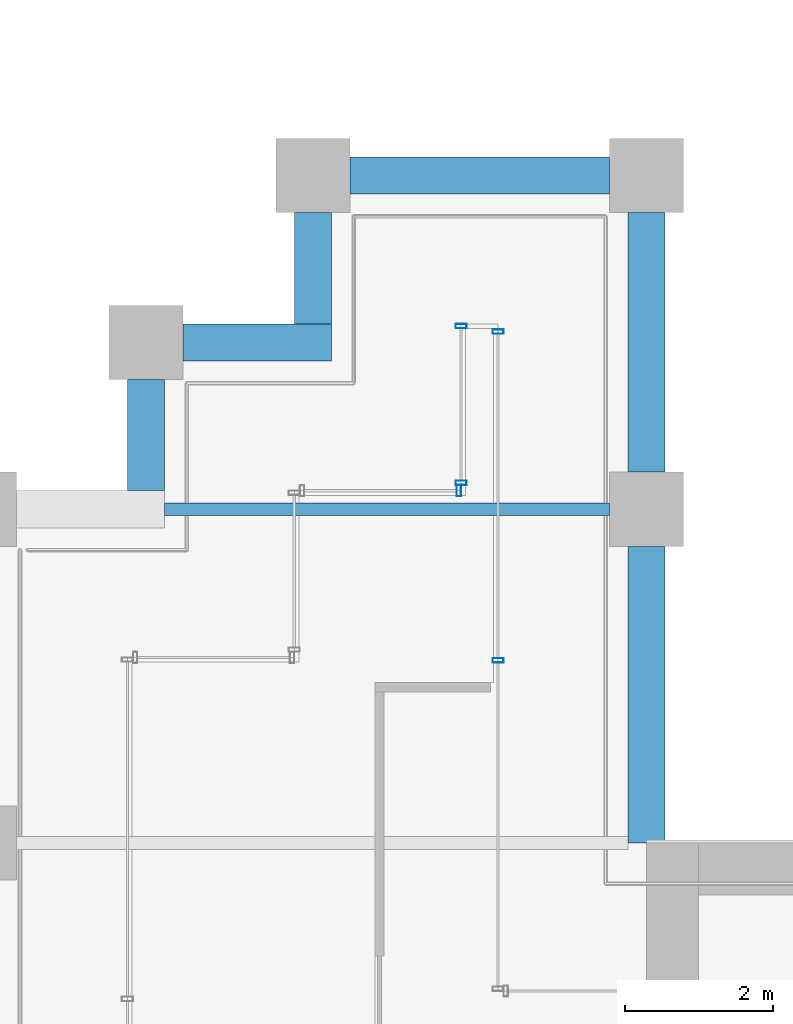
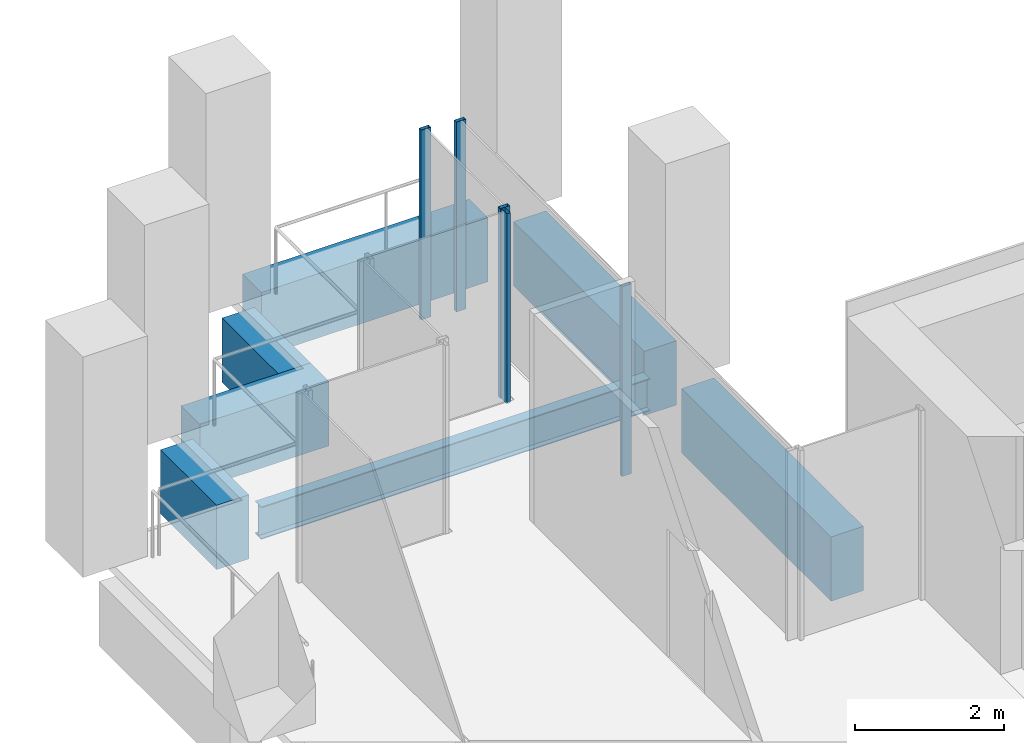
# One storey, part 35 of 46: 7 beams, 5 members, 3 elements without a shape of their own.
"""IFC4 building model written with IfcOpenShell, lengths in metres."""

from ifc_helpers import new_model, si_unit, direction, frame, origin, origin_2d, place, context, subcontext, project, spatial, rectangle, hollow_rectangle, i_section, extrude, material, material_profile, profile_set, type_object, element, aggregate, save


model = new_model("IFC4")

# Units and contexts
model_context = context("Model", 3, precision=1e-05, world=origin(), true_north=direction((0.0, 1.0)))
body_context = subcontext(model_context, "Body", "Model", "MODEL_VIEW")
ifc_project = project(units=[si_unit("LENGTHUNIT", "METRE"), si_unit("AREAUNIT", "SQUARE_METRE"), si_unit("VOLUMEUNIT", "CUBIC_METRE"), si_unit("PLANEANGLEUNIT", "RADIAN"), si_unit("MASSUNIT", "GRAM", prefix="KILO")], contexts=[model_context])

# Site, building, storey
site_placement = place(None, origin())
site = spatial("IfcSite", under=ifc_project, at=site_placement, CompositionType="ELEMENT")
building_placement = place(site_placement, origin())
building = spatial("IfcBuilding", under=site, at=building_placement, Name="Altepetl Exchange Towers", CompositionType="ELEMENT")
storey_placement = place(building_placement, frame((0.0, 0.0, 102.800048828125)))
storey = spatial("IfcBuildingStorey", under=building, at=storey_placement, Name="L25", CompositionType="ELEMENT", Elevation=102.800048828125)

# Beam
ifc_material_1 = material(Name="Steel S355", Category="steel")
ifc_material_profile_1 = material_profile(ifc_material_1, i_section(OverallWidth=0.166015625, OverallDepth=0.529052734375, WebThickness=0.009765625, FlangeThickness=0.013671875, at=origin_2d()), Name="W21X50")
ifc_profile_set_1 = profile_set([ifc_material_profile_1], Name="Steel S355")
beam_type_1 = type_object("IfcBeamType", Name="Floor beam W21X50", PredefinedType="BEAM", material=ifc_profile_set_1)
beam_1_placement = place(storey_placement, frame((97.0, 54.0, -0.41455078125), z_axis=(1.0, 0.0, 0.0), x_axis=(0.0, 1.0, 0.0)))
element("IfcBeam", 1, at=beam_1_placement, inside=storey, type_object=beam_type_1, Name="bm:B:L25:011", PredefinedType="BEAM", context=body_context, shape_type="SweptSolid", body=[
    extrude(i_section(OverallWidth=0.166015625, OverallDepth=0.529052734375, WebThickness=0.009765625, FlangeThickness=0.013671875, at=origin_2d()), origin(), (0.0, 0.0, 1.0), 6.0),
])

# Curtain wall, members
ifc_material_2 = material(Name="Aluminium 6063-T6 glazing", Category="aluminium")
curtain_wall_type = type_object("IfcCurtainWallType", Name="Loggia glazing system", PredefinedType="NOTDEFINED", material=ifc_material_2)
curtain_wall_1_placement = place(storey_placement, origin())
curtain_wall_1 = element("IfcCurtainWall", 2, at=curtain_wall_1_placement, inside=storey, type_object=curtain_wall_type, Name="CW1 run", PredefinedType="NOTDEFINED")
ifc_material_3 = material(Name="Aluminium 6063-T6", Category="aluminium")
ifc_material_profile_2 = material_profile(ifc_material_3, hollow_rectangle(XDim=0.06005859375, YDim=0.14990234375, WallThickness=0.0029296875, at=origin_2d()), Name="Mullion 60x150 aluminium")
ifc_profile_set_2 = profile_set([ifc_material_profile_2], Name="Aluminium 6063-T6")
member_type = type_object("IfcMemberType", Name="Mullion 60x150 aluminium", PredefinedType="MULLION", material=ifc_profile_set_2)
member_1_placement = place(storey_placement, frame((101.5, 51.96240234375, 0.0), z_axis=(0.0, 0.0, 1.0), x_axis=(0.0, 1.0, 0.0)))
member_1 = element("IfcMember", 3, at=member_1_placement, type_object=member_type, Name="MU1 mullion", PredefinedType="MULLION", context=body_context, shape_type="SweptSolid", body=[
    extrude(hollow_rectangle(XDim=0.06005859375, YDim=0.14990234375, WallThickness=0.0029296875, at=origin_2d()), origin(), (0.0, 0.0, 1.0), 3.099853515625),
])
member_2_placement = place(storey_placement, frame((101.5, 56.39501953125, 0.0), z_axis=(0.0, 0.0, 1.0), x_axis=(0.0, 1.0, 0.0)))
member_2 = element("IfcMember", 4, at=member_2_placement, type_object=member_type, Name="MU1 mullion", PredefinedType="MULLION", context=body_context, shape_type="SweptSolid", body=[
    extrude(hollow_rectangle(XDim=0.06005859375, YDim=0.14990234375, WallThickness=0.0029296875, at=origin_2d()), origin(), (0.0, 0.0, 1.0), 3.099853515625),
])
aggregate(curtain_wall_1, [member_1, member_2])

curtain_wall_2_placement = place(storey_placement, origin())
curtain_wall_2 = element("IfcCurtainWall", 5, at=curtain_wall_2_placement, inside=storey, type_object=curtain_wall_type, Name="CW1 run", PredefinedType="NOTDEFINED")
member_3_placement = place(storey_placement, frame((101.0, 56.469970703125, 0.0), z_axis=(0.0, 0.0, 1.0), x_axis=(0.0, -1.0, 0.0)))
member_3 = element("IfcMember", 6, at=member_3_placement, type_object=member_type, Name="MU1 mullion", PredefinedType="MULLION", context=body_context, shape_type="SweptSolid", body=[
    extrude(hollow_rectangle(XDim=0.06005859375, YDim=0.14990234375, WallThickness=0.0029296875, at=origin_2d()), origin(), (0.0, 0.0, 1.0), 3.099853515625),
])
member_4_placement = place(storey_placement, frame((101.0, 54.35498046875, 0.0), z_axis=(0.0, 0.0, 1.0), x_axis=(0.0, -1.0, 0.0)))
member_4 = element("IfcMember", 7, at=member_4_placement, type_object=member_type, Name="MU1 mullion", PredefinedType="MULLION", context=body_context, shape_type="SweptSolid", body=[
    extrude(hollow_rectangle(XDim=0.06005859375, YDim=0.14990234375, WallThickness=0.0029296875, at=origin_2d()), origin(), (0.0, 0.0, 1.0), 3.099853515625),
])
aggregate(curtain_wall_2, [member_3, member_4])

# Curtain wall, member
curtain_wall_3_placement = place(storey_placement, origin())
curtain_wall_3 = element("IfcCurtainWall", 8, at=curtain_wall_3_placement, inside=storey, type_object=curtain_wall_type, Name="CW1 run", PredefinedType="NOTDEFINED")
member_5_placement = place(storey_placement, frame((100.969970703125, 54.25, 0.0), z_axis=(0.0, 0.0, 1.0), x_axis=(-1.0, 0.0, 0.0)))
member_5 = element("IfcMember", 9, at=member_5_placement, type_object=member_type, Name="MU1 mullion", PredefinedType="MULLION", context=body_context, shape_type="SweptSolid", body=[
    extrude(hollow_rectangle(XDim=0.06005859375, YDim=0.14990234375, WallThickness=0.0029296875, at=origin_2d()), origin(), (0.0, 0.0, 1.0), 3.099853515625),
])
aggregate(curtain_wall_3, [member_5])

# Beams
ifc_material_4 = material(Name="Concrete C50/60 precast with cantera rosa facing", Category="concrete")
ifc_material_profile_3 = material_profile(ifc_material_4, rectangle(XDim=0.5, YDim=1.050048828125, at=origin_2d()), Name="500 x 1050")
ifc_profile_set_3 = profile_set([ifc_material_profile_3], Name="Concrete C50/60 precast with cantera rosa facing")
beam_type_2 = type_object("IfcBeamType", Name="Spandrel beam 500x1050 cantera rosa", PredefinedType="SPANDREL", material=ifc_profile_set_3)
beam_2_placement = place(storey_placement, frame((103.5, 49.5, -0.675048828125), z_axis=(0.0, 1.0, 0.0), x_axis=(-1.0, 0.0, 0.0)))
element("IfcBeam", 10, at=beam_2_placement, inside=storey, type_object=beam_type_2, Name="sp:B:L25:015", PredefinedType="SPANDREL", context=body_context, shape_type="SweptSolid", body=[
    extrude(rectangle(XDim=0.5, YDim=1.050048828125, at=origin_2d()), origin(), (0.0, 0.0, 1.0), 4.0),
])
for number, where, z_axis, x_axis, name in (
    (11, (103.5, 54.5, -0.675048828125), (0.0, 1.0, 0.0), (-1.0, 0.0, 0.0), "sp:B:L25:016"),
    (12, (103.0, 58.5, -0.675048828125), (-1.0, 0.0, 0.0), (0.0, -1.0, 0.0), "sp:B:L25:017"),
):
    element("IfcBeam", number, at=place(storey_placement, frame(where, z_axis=z_axis, x_axis=x_axis)), inside=storey, type_object=beam_type_2, Name=name, PredefinedType="SPANDREL", context=body_context, shape_type="SweptSolid", body=[
        extrude(rectangle(XDim=0.5, YDim=1.050048828125, at=origin_2d()), origin(), (0.0, 0.0, 1.0), 3.5),
    ])
beam_3_placement = place(storey_placement, frame((99.0, 58.0, -0.675048828125), z_axis=(0.0, -1.0, 0.0), x_axis=(1.0, 0.0, 0.0)))
element("IfcBeam", 13, at=beam_3_placement, inside=storey, type_object=beam_type_2, Name="sp:B:L25:018", PredefinedType="SPANDREL", context=body_context, shape_type="SweptSolid", body=[
    extrude(rectangle(XDim=0.5, YDim=1.050048828125, at=origin_2d()), origin(), (0.0, 0.0, 1.0), 1.5),
])
beam_4_placement = place(storey_placement, frame((99.25, 56.25, -0.675048828125), z_axis=(-1.0, 0.0, 0.0), x_axis=(0.0, -1.0, 0.0)))
element("IfcBeam", 14, at=beam_4_placement, inside=storey, type_object=beam_type_2, Name="sp:B:L25:019", PredefinedType="SPANDREL", context=body_context, shape_type="SweptSolid", body=[
    extrude(rectangle(XDim=0.5, YDim=1.050048828125, at=origin_2d()), origin(), (0.0, 0.0, 1.0), 2.0),
])
beam_5_placement = place(storey_placement, frame((96.75, 55.75, -0.675048828125), z_axis=(0.0, -1.0, 0.0), x_axis=(1.0, 0.0, 0.0)))
element("IfcBeam", 15, at=beam_5_placement, inside=storey, type_object=beam_type_2, Name="sp:B:L25:020", PredefinedType="SPANDREL", context=body_context, shape_type="SweptSolid", body=[
    extrude(rectangle(XDim=0.5, YDim=1.050048828125, at=origin_2d()), origin(), (0.0, 0.0, 1.0), 1.5),
])

save(model, "model.ifc")
